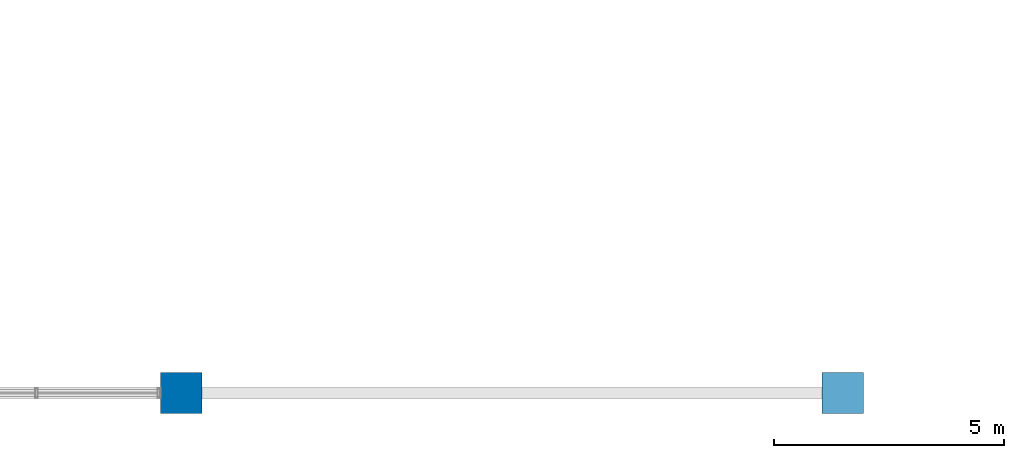
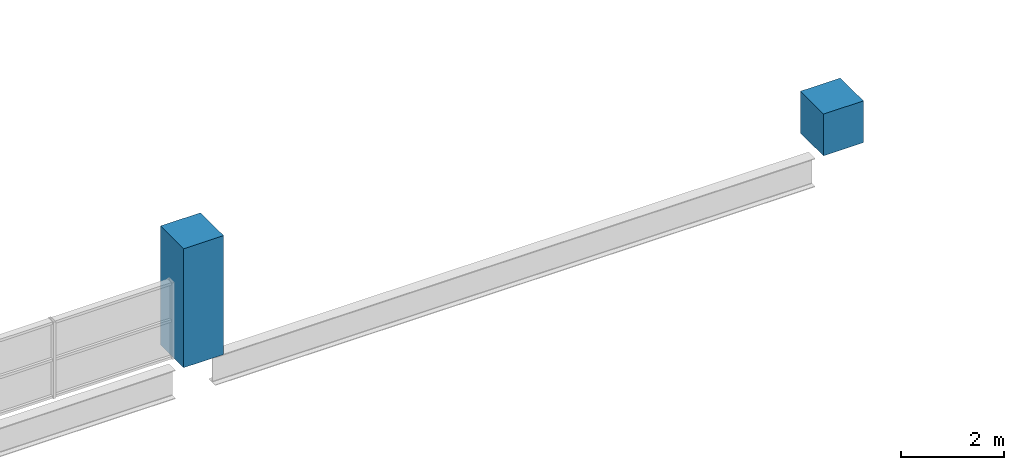
# One storey, part 2 of 68: 2 columns.
"""IFC4 building model written with IfcOpenShell, lengths in metres."""

from ifc_helpers import new_model, si_unit, direction, frame, origin, origin_2d, place, context, subcontext, project, spatial, rectangle, extrude, material, material_profile, profile_set, type_object, element, save


model = new_model("IFC4")

# Units and contexts
model_context = context("Model", 3, precision=1e-05, world=origin(), true_north=direction((0.0, 1.0)))
body_context = subcontext(model_context, "Body", "Model", "MODEL_VIEW")
ifc_project = project(units=[si_unit("LENGTHUNIT", "METRE"), si_unit("AREAUNIT", "SQUARE_METRE"), si_unit("VOLUMEUNIT", "CUBIC_METRE"), si_unit("PLANEANGLEUNIT", "RADIAN"), si_unit("MASSUNIT", "GRAM", prefix="KILO"), si_unit("THERMODYNAMICTEMPERATUREUNIT", "KELVIN")], contexts=[model_context])

# Site, building, storey
site_placement = place(None, origin())
site = spatial("IfcSite", under=ifc_project, at=site_placement, CompositionType="ELEMENT")
building_placement = place(site_placement, origin())
building = spatial("IfcBuilding", under=site, at=building_placement, Name="Nduvali Passage Aquatics Centre", CompositionType="ELEMENT")
storey_placement = place(building_placement, frame((0.0, 0.0, 13.199951171875)))
storey = spatial("IfcBuildingStorey", under=building, at=storey_placement, Name="L03", CompositionType="ELEMENT", Elevation=13.199951171875)

# Columns
ifc_material = material(Name="Concrete C40/50", Category="concrete")
ifc_material_profile = material_profile(ifc_material, rectangle(XDim=0.89990234375, YDim=0.89990234375, at=origin_2d()), Name="RC 900x900")
ifc_profile_set = profile_set([ifc_material_profile], Name="Concrete C40/50")
column_type = type_object("IfcColumnType", Name="STR-COL-RC900-EXT", PredefinedType="COLUMN", material=ifc_profile_set)
column_1_placement = place(storey_placement, frame((39.60009765625, 25.199951171875, 0.0), z_axis=(0.0, 0.0, 1.0), x_axis=(1.0, 0.0, 0.0)))
element("IfcColumn", 1, at=column_1_placement, inside=storey, type_object=column_type, Name="L03 Column C1E (39.6, 25.2)", PredefinedType="COLUMN", context=body_context, shape_type="SweptSolid", body=[
    extrude(rectangle(XDim=0.89990234375, YDim=0.89990234375, at=origin_2d()), origin(), (0.0, 0.0, 1.0), 2.829345703125),
])
column_2_placement = place(storey_placement, frame((54.0, 25.199951171875, 0.0), z_axis=(0.0, 0.0, 1.0), x_axis=(1.0, 0.0, 0.0)))
element("IfcColumn", 2, at=column_2_placement, inside=storey, type_object=column_type, Name="L03 Column C1E (54.0, 25.2)", PredefinedType="COLUMN", context=body_context, shape_type="SweptSolid", body=[
    extrude(rectangle(XDim=0.89990234375, YDim=0.89990234375, at=origin_2d()), origin(), (0.0, 0.0, 1.0), 0.99365234375),
])

save(model, "model.ifc")
